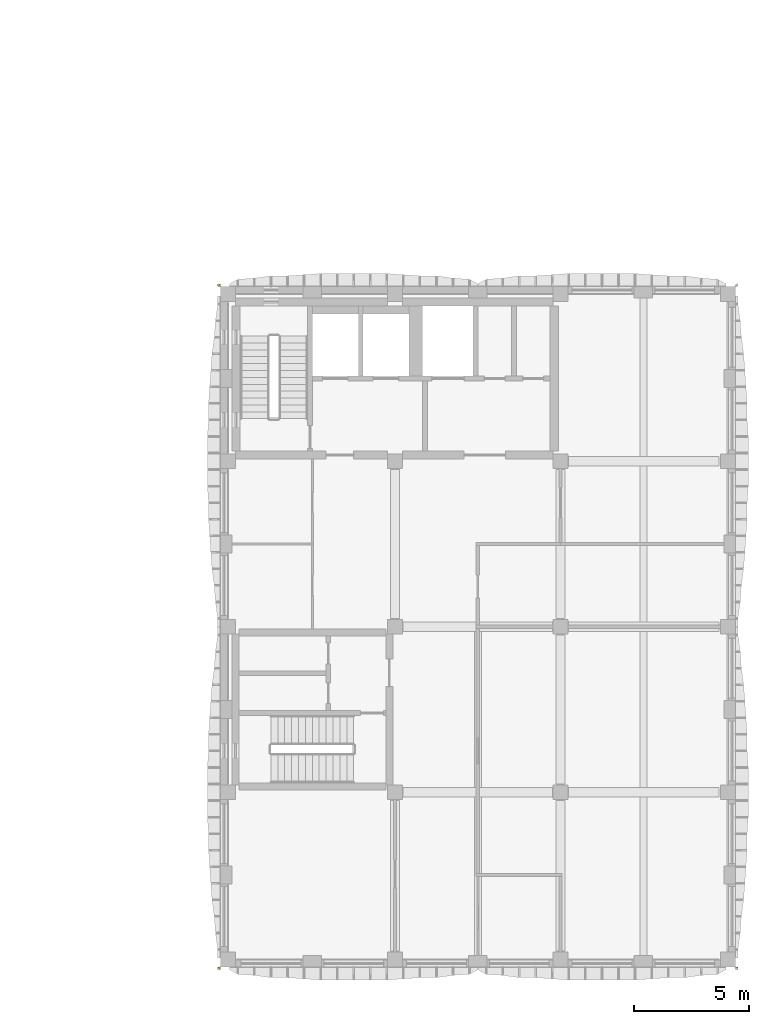
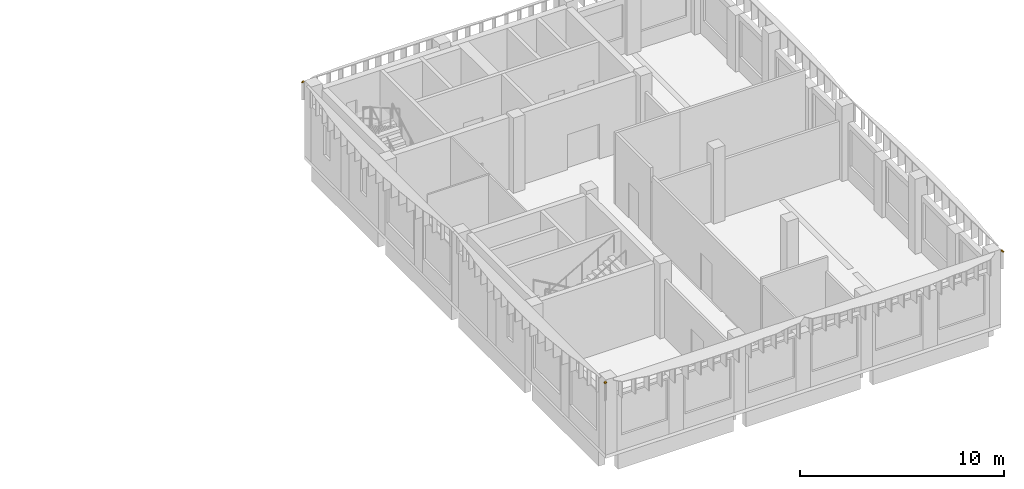
# One storey, part 29 of 30: 3 shading devices.
"""IFC4 building model written with IfcOpenShell, lengths in metres."""

from ifc_helpers import new_model, si_unit, direction, frame, origin, place, context, subcontext, project, spatial, polyline, outline, extrude, material, layer, layer_set, type_object, element, save


model = new_model("IFC4")

# Units and contexts
model_context = context("Model", 3, precision=1e-05, world=origin(), true_north=direction((0.0, 1.0)))
body_context = subcontext(model_context, "Body", "Model", "MODEL_VIEW")
ifc_project = project(units=[si_unit("LENGTHUNIT", "METRE"), si_unit("AREAUNIT", "SQUARE_METRE"), si_unit("VOLUMEUNIT", "CUBIC_METRE"), si_unit("PLANEANGLEUNIT", "RADIAN"), si_unit("MASSUNIT", "GRAM", prefix="KILO")], contexts=[model_context])

# Site, building, storey
site_placement = place(None, origin())
site = spatial("IfcSite", under=ifc_project, at=site_placement, CompositionType="ELEMENT")
building_placement = place(site_placement, origin())
building = spatial("IfcBuilding", under=site, at=building_placement, Name="Ussher Court Research Institute", CompositionType="ELEMENT")
storey_placement = place(building_placement, frame((0.0, 0.0, 27.89990234375)))
storey = spatial("IfcBuildingStorey", under=building, at=storey_placement, Name="L06", CompositionType="ELEMENT", Elevation=27.89990234375)

# Shading devices
ifc_material = material(Name="Bronze anodised aluminium", Category="aluminium")
ifc_layer = layer(ifc_material, 0.0400390625)
ifc_layer_set = layer_set([ifc_layer], Name="Bronze anodised aluminium")
shading_device_type = type_object("IfcShadingDeviceType", Name="Brim visor sheet 40 mm canted 26 deg wet", PredefinedType="USERDEFINED", material=ifc_layer_set)
for number, where, z_axis, x_axis, name in (
    (1, (81.783935546875, 33.216064453125, 4.48291015625), (-0.400847757571, 0.400847757571, 0.823797396512), (0.000362285341, 0.899269394429, -0.437395044544), "Brim visor sheet BR1 L06"),
    (2, (104.216064453125, 3.583984375, 4.48291015625), (0.400847757571, -0.400847757571, 0.823797396512), (-0.000362285341, -0.899269394429, -0.437395044544), "Brim visor sheet BR1 L06"),
    (3, (81.783935546875, 3.583984375, 4.48291015625), (-0.400847757571, -0.400847757571, 0.823797396512), (-0.899269394429, 0.000362285341, -0.437395044544), "Brim visor sheet BR1 L06"),
):
    element("IfcShadingDevice", number, at=place(storey_placement, frame(where, z_axis=z_axis, x_axis=x_axis)), inside=storey, type_object=shading_device_type, Name=name, ObjectType="BRIM", PredefinedType="USERDEFINED", context=body_context, shape_type="SweptSolid", body=[
        extrude(outline(polyline([(0.0, 0.0), (0.11126515272958254, 0.0), (0.13258606872546647, 0.10931209908468126), (0.021214130096336967, 0.10922405822982874), (0.0, 0.0)])), origin(), (0.0, 0.0, -1.0), 0.0400390625),
    ])

save(model, "model.ifc")
